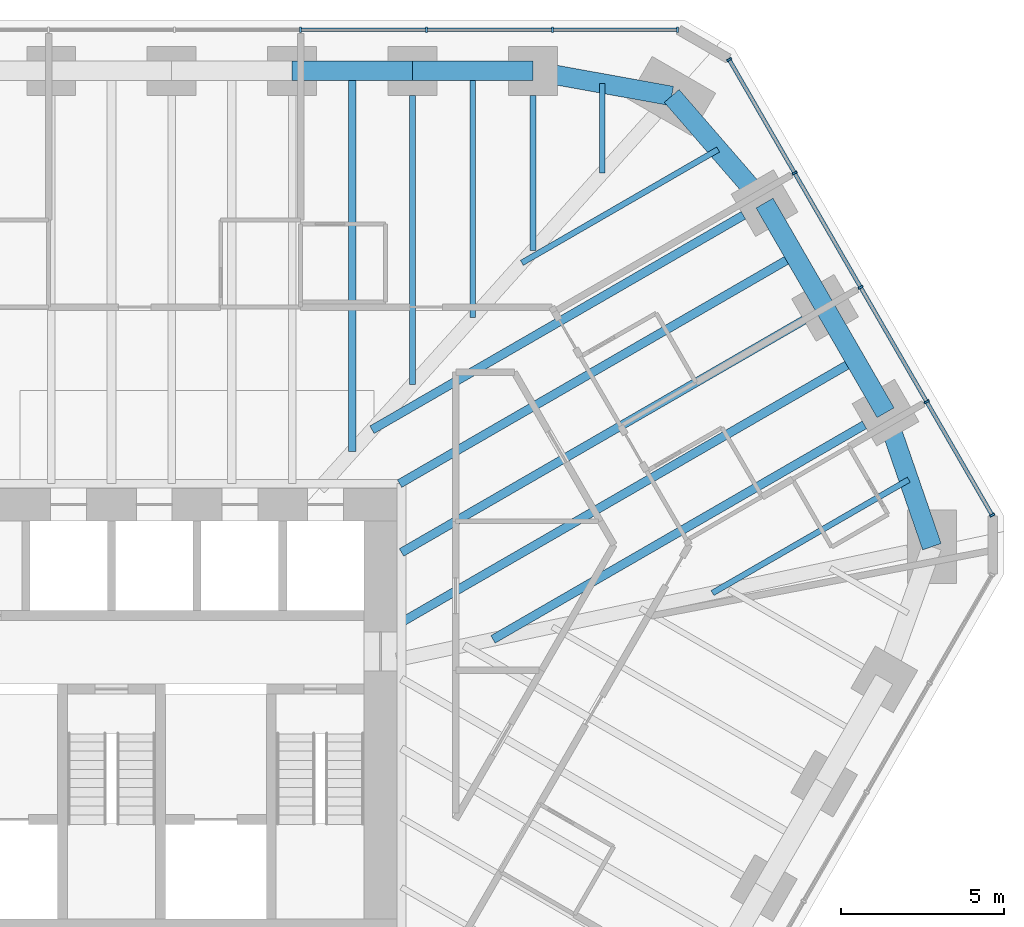
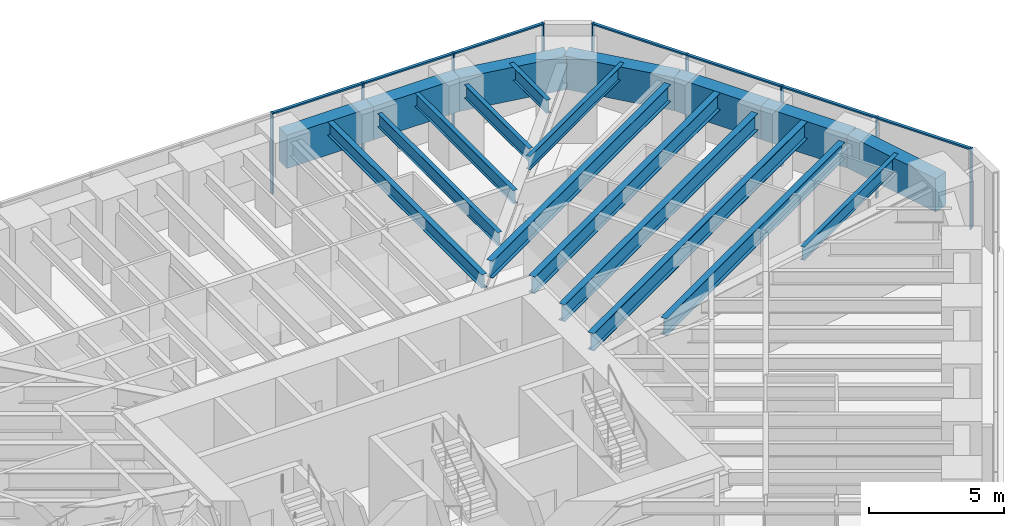
# One storey, part 9 of 17: 19 beams, 16 members, 2 elements without a shape of their own.
"""IFC4 building model written with IfcOpenShell, lengths in metres."""

from ifc_helpers import new_model, si_unit, direction, frame, origin, origin_2d, place, context, subcontext, project, spatial, rectangle, i_section, extrude, material, material_profile, profile_set, type_object, element, aggregate, save


model = new_model("IFC4")

# Units and contexts
model_context = context("Model", 3, precision=1e-05, world=origin(), true_north=direction((0.0, 1.0)))
body_context = subcontext(model_context, "Body", "Model", "MODEL_VIEW")
ifc_project = project(units=[si_unit("LENGTHUNIT", "METRE"), si_unit("AREAUNIT", "SQUARE_METRE"), si_unit("VOLUMEUNIT", "CUBIC_METRE"), si_unit("PLANEANGLEUNIT", "RADIAN"), si_unit("MASSUNIT", "GRAM", prefix="KILO")], contexts=[model_context])

# Site, building, storey
site_placement = place(None, origin())
site = spatial("IfcSite", under=ifc_project, at=site_placement, CompositionType="ELEMENT")
building_placement = place(site_placement, origin())
building = spatial("IfcBuilding", under=site, at=building_placement, Name="Sandreach Pilgrim Tower", CompositionType="ELEMENT")
storey_placement = place(building_placement, frame((0.0, 0.0, 194.60009765625)))
storey = spatial("IfcBuildingStorey", under=building, at=storey_placement, Name="L48", CompositionType="ELEMENT", Elevation=194.60009765625)

# Curtain wall, members
ifc_material_1 = material(Name="Aluminium framed curtain wall", Category="aluminium")
curtain_wall_type = type_object("IfcCurtainWallType", Name="Upper hotel tower curtain wall", PredefinedType="NOTDEFINED", material=ifc_material_1)
curtain_wall_1_placement = place(storey_placement, origin())
curtain_wall_1 = element("IfcCurtainWall", 1, at=curtain_wall_1_placement, inside=storey, type_object=curtain_wall_type, Name="CW-3 L48 N", PredefinedType="NOTDEFINED")
ifc_material_2 = material(Name="Aluminium extrusion", Category="aluminium")
ifc_material_profile_1 = material_profile(ifc_material_2, rectangle(XDim=0.06494140625, YDim=0.159912109375, at=origin_2d()), Name="CW-3M 65X160")
ifc_profile_set_1 = profile_set([ifc_material_profile_1], Name="Aluminium extrusion")
member_type_1 = type_object("IfcMemberType", Name="CW-3 mullion", PredefinedType="MULLION", material=ifc_profile_set_1)
member_1_placement = place(storey_placement, frame((5.796630859375, 21.16015625, 0.0), z_axis=(0.0, 0.0, 1.0), x_axis=(1.0, 0.0, 0.0)))
member_1 = element("IfcMember", 2, at=member_1_placement, type_object=member_type_1, Name="CW-3 mullion 7", PredefinedType="MULLION", context=body_context, shape_type="SweptSolid", body=[
    extrude(rectangle(XDim=0.06494140625, YDim=0.159912109375, at=origin_2d()), origin(), (0.0, 0.0, 1.0), 3.639892578125),
])
member_2_placement = place(storey_placement, frame((9.6611328125, 21.16015625, 0.0), z_axis=(0.0, 0.0, 1.0), x_axis=(1.0, 0.0, 0.0)))
member_2 = element("IfcMember", 3, at=member_2_placement, type_object=member_type_1, Name="CW-3 mullion 8", PredefinedType="MULLION", context=body_context, shape_type="SweptSolid", body=[
    extrude(rectangle(XDim=0.06494140625, YDim=0.159912109375, at=origin_2d()), origin(), (0.0, 0.0, 1.0), 3.639892578125),
])
member_3_placement = place(storey_placement, frame((13.525390625, 21.16015625, 0.0), z_axis=(0.0, 0.0, 1.0), x_axis=(1.0, 0.0, 0.0)))
member_3 = element("IfcMember", 4, at=member_3_placement, type_object=member_type_1, Name="CW-3 mullion 9", PredefinedType="MULLION", context=body_context, shape_type="SweptSolid", body=[
    extrude(rectangle(XDim=0.06494140625, YDim=0.159912109375, at=origin_2d()), origin(), (0.0, 0.0, 1.0), 3.639892578125),
])
member_4_placement = place(storey_placement, frame((17.357421875, 21.16015625, 0.0), z_axis=(0.0, 0.0, 1.0), x_axis=(1.0, 0.0, 0.0)))
member_4 = element("IfcMember", 5, at=member_4_placement, type_object=member_type_1, Name="CW-3 mullion 10", PredefinedType="MULLION", context=body_context, shape_type="SweptSolid", body=[
    extrude(rectangle(XDim=0.06494140625, YDim=0.159912109375, at=origin_2d()), origin(), (0.0, 0.0, 1.0), 3.639892578125),
])

curtain_wall_2_placement = place(storey_placement, origin())
curtain_wall_2 = element("IfcCurtainWall", 6, at=curtain_wall_2_placement, inside=storey, type_object=curtain_wall_type, Name="CW-3 L48 NE", PredefinedType="NOTDEFINED")
member_5_placement = place(storey_placement, frame((18.93896484375, 20.2470703125, 0.0), z_axis=(0.0, 0.0, 1.0), x_axis=(0.5, -0.866025403784, 0.0)))
member_5 = element("IfcMember", 7, at=member_5_placement, type_object=member_type_1, Name="CW-3 mullion 1", PredefinedType="MULLION", context=body_context, shape_type="SweptSolid", body=[
    extrude(rectangle(XDim=0.06494140625, YDim=0.159912109375, at=origin_2d()), origin(), (0.0, 0.0, 1.0), 3.639892578125),
])
member_6_placement = place(storey_placement, frame((20.947021484375, 16.768798828125, 0.0), z_axis=(0.0, 0.0, 1.0), x_axis=(0.5, -0.866025403784, 0.0)))
member_6 = element("IfcMember", 8, at=member_6_placement, type_object=member_type_1, Name="CW-3 mullion 2", PredefinedType="MULLION", context=body_context, shape_type="SweptSolid", body=[
    extrude(rectangle(XDim=0.06494140625, YDim=0.159912109375, at=origin_2d()), origin(), (0.0, 0.0, 1.0), 3.639892578125),
])
member_7_placement = place(storey_placement, frame((22.971435546875, 13.262451171875, 0.0), z_axis=(0.0, 0.0, 1.0), x_axis=(0.5, -0.866025403784, 0.0)))
member_7 = element("IfcMember", 9, at=member_7_placement, type_object=member_type_1, Name="CW-3 mullion 3", PredefinedType="MULLION", context=body_context, shape_type="SweptSolid", body=[
    extrude(rectangle(XDim=0.06494140625, YDim=0.159912109375, at=origin_2d()), origin(), (0.0, 0.0, 1.0), 3.639892578125),
])
member_8_placement = place(storey_placement, frame((24.995849609375, 9.75634765625, 0.0), z_axis=(0.0, 0.0, 1.0), x_axis=(0.5, -0.866025403784, 0.0)))
member_8 = element("IfcMember", 10, at=member_8_placement, type_object=member_type_1, Name="CW-3 mullion 4", PredefinedType="MULLION", context=body_context, shape_type="SweptSolid", body=[
    extrude(rectangle(XDim=0.06494140625, YDim=0.159912109375, at=origin_2d()), origin(), (0.0, 0.0, 1.0), 3.639892578125),
])
member_9_placement = place(storey_placement, frame((27.00390625, 6.278076171875, 0.0), z_axis=(0.0, 0.0, 1.0), x_axis=(0.5, -0.866025403784, 0.0)))
member_9 = element("IfcMember", 11, at=member_9_placement, type_object=member_type_1, Name="CW-3 mullion 5", PredefinedType="MULLION", context=body_context, shape_type="SweptSolid", body=[
    extrude(rectangle(XDim=0.06494140625, YDim=0.159912109375, at=origin_2d()), origin(), (0.0, 0.0, 1.0), 3.639892578125),
])

# Member
ifc_material_3 = material(Name="Aluminium extrusion", Category="aluminium")
ifc_material_profile_2 = material_profile(ifc_material_3, rectangle(XDim=0.1201171875, YDim=0.070068359375, at=origin_2d()), Name="CW-3T 120X70")
ifc_profile_set_2 = profile_set([ifc_material_profile_2], Name="Aluminium extrusion")
member_type_2 = type_object("IfcMemberType", Name="CW-3 transom", PredefinedType="USERDEFINED", material=ifc_profile_set_2)
member_10_placement = place(storey_placement, frame((5.8291015625, 21.16015625, 3.60498046875), z_axis=(1.0, 0.0, 0.0), x_axis=(0.0, 1.0, 0.0)))
member_10 = element("IfcMember", 12, at=member_10_placement, type_object=member_type_2, Name="CW-3 head transom 7", ObjectType="TRANSOM", PredefinedType="USERDEFINED", context=body_context, shape_type="SweptSolid", body=[
    extrude(rectangle(XDim=0.1201171875, YDim=0.070068359375, at=origin_2d()), origin(), (0.0, 0.0, 1.0), 3.799560546875),
])

member_11_placement = place(storey_placement, frame((9.693603515625, 21.16015625, 3.60498046875), z_axis=(1.0, 0.0, 0.0), x_axis=(0.0, 1.0, 0.0)))
member_11 = element("IfcMember", 13, at=member_11_placement, type_object=member_type_2, Name="CW-3 head transom 8", ObjectType="TRANSOM", PredefinedType="USERDEFINED", context=body_context, shape_type="SweptSolid", body=[
    extrude(rectangle(XDim=0.1201171875, YDim=0.070068359375, at=origin_2d()), origin(), (0.0, 0.0, 1.0), 3.79931640625),
])

member_12_placement = place(storey_placement, frame((13.557861328125, 21.16015625, 3.60498046875), z_axis=(1.0, 0.0, 0.0), x_axis=(0.0, 1.0, 0.0)))
member_12 = element("IfcMember", 14, at=member_12_placement, type_object=member_type_2, Name="CW-3 head transom 9", ObjectType="TRANSOM", PredefinedType="USERDEFINED", context=body_context, shape_type="SweptSolid", body=[
    extrude(rectangle(XDim=0.1201171875, YDim=0.070068359375, at=origin_2d()), origin(), (0.0, 0.0, 1.0), 3.76708984375),
])

aggregate(curtain_wall_1, [member_1, member_2, member_3, member_4, member_10, member_11, member_12])

member_13_placement = place(storey_placement, frame((18.955322265625, 20.21875, 3.60498046875), z_axis=(0.499993448556, -0.866029186229, 0.0), x_axis=(0.866029186229, 0.499993448556, 0.0)))
member_13 = element("IfcMember", 15, at=member_13_placement, type_object=member_type_2, Name="CW-3 head transom 1", ObjectType="TRANSOM", PredefinedType="USERDEFINED", context=body_context, shape_type="SweptSolid", body=[
    extrude(rectangle(XDim=0.1201171875, YDim=0.070068359375, at=origin_2d()), origin(), (0.0, 0.0, 1.0), 3.951171875),
])

member_14_placement = place(storey_placement, frame((20.96337890625, 16.74072265625, 3.60498046875), z_axis=(0.499975332564, -0.866039645067, 0.0), x_axis=(0.866039645067, 0.499975332564, 0.0)))
member_14 = element("IfcMember", 16, at=member_14_placement, type_object=member_type_2, Name="CW-3 head transom 2", ObjectType="TRANSOM", PredefinedType="USERDEFINED", context=body_context, shape_type="SweptSolid", body=[
    extrude(rectangle(XDim=0.1201171875, YDim=0.070068359375, at=origin_2d()), origin(), (0.0, 0.0, 1.0), 3.983642578125),
])

member_15_placement = place(storey_placement, frame((22.98779296875, 13.234375, 3.60498046875), z_axis=(0.499975332564, -0.866039645067, 0.0), x_axis=(0.866039645067, 0.499975332564, 0.0)))
member_15 = element("IfcMember", 17, at=member_15_placement, type_object=member_type_2, Name="CW-3 head transom 3", ObjectType="TRANSOM", PredefinedType="USERDEFINED", context=body_context, shape_type="SweptSolid", body=[
    extrude(rectangle(XDim=0.1201171875, YDim=0.070068359375, at=origin_2d()), origin(), (0.0, 0.0, 1.0), 3.983642578125),
])

member_16_placement = place(storey_placement, frame((25.011962890625, 9.728271484375, 3.60498046875), z_axis=(0.499993448556, -0.866029186229, 0.0), x_axis=(0.866029186229, 0.499993448556, 0.0)))
member_16 = element("IfcMember", 18, at=member_16_placement, type_object=member_type_2, Name="CW-3 head transom 4", ObjectType="TRANSOM", PredefinedType="USERDEFINED", context=body_context, shape_type="SweptSolid", body=[
    extrude(rectangle(XDim=0.1201171875, YDim=0.070068359375, at=origin_2d()), origin(), (0.0, 0.0, 1.0), 3.951171875),
])

aggregate(curtain_wall_2, [member_5, member_6, member_7, member_8, member_9, member_13, member_14, member_15, member_16])

# Beams
ifc_material_4 = material(Name="Steel ASTM A992 Grade 50", Category="steel")
ifc_material_profile_3 = material_profile(ifc_material_4, i_section(OverallWidth=0.1787109375, OverallDepth=0.60205078125, WebThickness=0.010986328125, FlangeThickness=0.014892578125, at=origin_2d()), Name="W24X62")
ifc_profile_set_3 = profile_set([ifc_material_profile_3], Name="Steel ASTM A992 Grade 50")
beam_type_1 = type_object("IfcBeamType", Name="Floor beam W24X62", PredefinedType="BEAM", material=ifc_profile_set_3)
beam_1_placement = place(storey_placement, frame((9.231201171875, 19.150146484375, 3.3388671875), z_axis=(0.0, -1.0, 0.0), x_axis=(1.0, 0.0, 0.0)))
element("IfcBeam", 19, at=beam_1_placement, inside=storey, type_object=beam_type_1, Name="BM L48 F07", PredefinedType="BEAM", context=body_context, shape_type="SweptSolid", body=[
    extrude(i_section(OverallWidth=0.1787109375, OverallDepth=0.60205078125, WebThickness=0.010986328125, FlangeThickness=0.014892578125, at=origin_2d()), origin(), (0.0, 0.0, 1.0), 8.86962890625),
])
beam_2_placement = place(storey_placement, frame((12.923828125, 19.150146484375, 3.3388671875), z_axis=(0.0, -1.0, 0.0), x_axis=(1.0, 0.0, 0.0)))
element("IfcBeam", 20, at=beam_2_placement, inside=storey, type_object=beam_type_1, Name="BM L48 F08", PredefinedType="BEAM", context=body_context, shape_type="SweptSolid", body=[
    extrude(i_section(OverallWidth=0.1787109375, OverallDepth=0.60205078125, WebThickness=0.010986328125, FlangeThickness=0.014892578125, at=origin_2d()), origin(), (0.0, 0.0, 1.0), 4.757568359375),
])
beam_3_placement = place(storey_placement, frame((11.077392578125, 19.900146484375, 3.3388671875), z_axis=(0.0, -1.0, 0.0), x_axis=(1.0, 0.0, 0.0)))
element("IfcBeam", 21, at=beam_3_placement, inside=storey, type_object=beam_type_1, Name="BM L48 FM07", PredefinedType="BEAM", context=body_context, shape_type="SweptSolid", body=[
    extrude(i_section(OverallWidth=0.1787109375, OverallDepth=0.60205078125, WebThickness=0.010986328125, FlangeThickness=0.014892578125, at=origin_2d()), origin(), (0.0, 0.0, 1.0), 7.563720703125),
])
beam_4_placement = place(storey_placement, frame((15.05078125, 19.515380859375, 3.3388671875), z_axis=(0.0, -1.0, 0.0), x_axis=(1.0, 0.0, 0.0)))
element("IfcBeam", 22, at=beam_4_placement, inside=storey, type_object=beam_type_1, Name="BM L48 FM08", PredefinedType="BEAM", context=body_context, shape_type="SweptSolid", body=[
    extrude(i_section(OverallWidth=0.1787109375, OverallDepth=0.60205078125, WebThickness=0.010986328125, FlangeThickness=0.014892578125, at=origin_2d()), origin(), (0.0, 0.0, 1.0), 2.75390625),
])
for number, where, z_axis, x_axis, name in (
    (23, (18.6015625, 17.48828125, 3.3388671875), (-0.866029381593, -0.499993110171, 0.0), (0.499993110171, -0.866029381593, 0.0), "BM L48 FM09"),
    (24, (24.446044921875, 7.365234375, 3.3388671875), (-0.866029381593, -0.499993110171, 0.0), (0.499993110171, -0.866029381593, 0.0), "BM L48 FM12"),
):
    element("IfcBeam", number, at=place(storey_placement, frame(where, z_axis=z_axis, x_axis=x_axis)), inside=storey, type_object=beam_type_1, Name=name, PredefinedType="BEAM", context=body_context, shape_type="SweptSolid", body=[
        extrude(i_section(OverallWidth=0.1787109375, OverallDepth=0.60205078125, WebThickness=0.010986328125, FlangeThickness=0.014892578125, at=origin_2d()), origin(), (0.0, 0.0, 1.0), 6.94921875),
    ])
ifc_material_5 = material(Name="Steel ASTM A992 Grade 50", Category="steel")
ifc_material_profile_4 = material_profile(ifc_material_5, i_section(OverallWidth=0.23046875, OverallDepth=0.6171875, WebThickness=0.01318359375, FlangeThickness=0.022216796875, at=origin_2d()), Name="W24X94")
ifc_profile_set_4 = profile_set([ifc_material_profile_4], Name="Steel ASTM A992 Grade 50")
beam_type_2 = type_object("IfcBeamType", Name="Floor beam W24X94", PredefinedType="BEAM", material=ifc_profile_set_4)
beam_5_placement = place(storey_placement, frame((7.385009765625, 19.900146484375, 3.331298828125), z_axis=(0.0, -1.0, 0.0), x_axis=(1.0, 0.0, 0.0)))
element("IfcBeam", 25, at=beam_5_placement, inside=storey, type_object=beam_type_2, Name="BM L48 FM06", PredefinedType="BEAM", context=body_context, shape_type="SweptSolid", body=[
    extrude(i_section(OverallWidth=0.23046875, OverallDepth=0.6171875, WebThickness=0.01318359375, FlangeThickness=0.022216796875, at=origin_2d()), origin(), (0.0, 0.0, 1.0), 11.67578125),
])
ifc_material_6 = material(Name="Steel ASTM A992 Grade 50", Category="steel")
ifc_material_profile_5 = material_profile(ifc_material_6, i_section(OverallWidth=0.2666015625, OverallDepth=0.761962890625, WebThickness=0.014404296875, FlangeThickness=0.021484375, at=origin_2d()), Name="W30X116")
ifc_profile_set_5 = profile_set([ifc_material_profile_5], Name="Steel ASTM A992 Grade 50")
beam_type_3 = type_object("IfcBeamType", Name="Floor beam W30X116", PredefinedType="BEAM", material=ifc_profile_set_5)
beam_6_placement = place(storey_placement, frame((19.37548828125, 15.470947265625, 3.2587890625), z_axis=(-0.866022320763, -0.500005339912, 0.0), x_axis=(0.500005339912, -0.866022320763, 0.0)))
element("IfcBeam", 26, at=beam_6_placement, inside=storey, type_object=beam_type_3, Name="BM L48 F10", PredefinedType="BEAM", context=body_context, shape_type="SweptSolid", body=[
    extrude(i_section(OverallWidth=0.2666015625, OverallDepth=0.761962890625, WebThickness=0.014404296875, FlangeThickness=0.021484375, at=origin_2d()), origin(), (0.0, 0.0, 1.0), 13.148193359375),
])
beam_7_placement = place(storey_placement, frame((21.230712890625, 12.257568359375, 3.2587890625), z_axis=(-0.866024056942, -0.500002332792, 0.0), x_axis=(0.500002332792, -0.866024056942, 0.0)))
element("IfcBeam", 27, at=beam_7_placement, inside=storey, type_object=beam_type_3, Name="BM L48 F11", PredefinedType="BEAM", context=body_context, shape_type="SweptSolid", body=[
    extrude(i_section(OverallWidth=0.2666015625, OverallDepth=0.761962890625, WebThickness=0.014404296875, FlangeThickness=0.021484375, at=origin_2d()), origin(), (0.0, 0.0, 1.0), 14.24609375),
])
beam_8_placement = place(storey_placement, frame((23.0859375, 9.044189453125, 3.2587890625), z_axis=(-0.866026962808, -0.499997299682, 0.0), x_axis=(0.499997299682, -0.866026962808, 0.0)))
element("IfcBeam", 28, at=beam_8_placement, inside=storey, type_object=beam_type_3, Name="BM L48 F12", PredefinedType="BEAM", context=body_context, shape_type="SweptSolid", body=[
    extrude(i_section(OverallWidth=0.2666015625, OverallDepth=0.761962890625, WebThickness=0.014404296875, FlangeThickness=0.021484375, at=origin_2d()), origin(), (0.0, 0.0, 1.0), 13.1484375),
])
beam_9_placement = place(storey_placement, frame((20.95263671875, 14.2392578125, 3.2587890625), z_axis=(-0.866025770688, -0.499999364504, 0.0), x_axis=(0.499999364504, -0.866025770688, 0.0)))
element("IfcBeam", 29, at=beam_9_placement, inside=storey, type_object=beam_type_3, Name="BM L48 FM10", PredefinedType="BEAM", context=body_context, shape_type="SweptSolid", body=[
    extrude(i_section(OverallWidth=0.2666015625, OverallDepth=0.761962890625, WebThickness=0.014404296875, FlangeThickness=0.021484375, at=origin_2d()), origin(), (0.0, 0.0, 1.0), 13.99169921875),
])
ifc_material_7 = material(Name="Steel ASTM A992 Grade 50", Category="steel")
ifc_material_profile_6 = material_profile(ifc_material_7, i_section(OverallWidth=0.2666015625, OverallDepth=0.77978515625, WebThickness=0.0166015625, FlangeThickness=0.030029296875, at=origin_2d()), Name="W30X148")
ifc_profile_set_6 = profile_set([ifc_material_profile_6], Name="Steel ASTM A992 Grade 50")
beam_type_4 = type_object("IfcBeamType", Name="Floor beam W30X148", PredefinedType="BEAM", material=ifc_profile_set_6)
beam_10_placement = place(storey_placement, frame((22.807861328125, 11.02587890625, 3.25), z_axis=(-0.866028701771, -0.499994287676, 0.0), x_axis=(0.499994287676, -0.866028701771, 0.0)))
element("IfcBeam", 30, at=beam_10_placement, inside=storey, type_object=beam_type_4, Name="BM L48 FM11", PredefinedType="BEAM", context=body_context, shape_type="SweptSolid", body=[
    extrude(i_section(OverallWidth=0.2666015625, OverallDepth=0.77978515625, WebThickness=0.0166015625, FlangeThickness=0.030029296875, at=origin_2d()), origin(), (0.0, 0.0, 1.0), 16.067138671875),
])
ifc_material_8 = material(Name="Concrete 10000 psi", Category="concrete")
ifc_material_profile_7 = material_profile(ifc_material_8, rectangle(XDim=0.60009765625, YDim=1.5, at=origin_2d()), Name="RC600X1500")
ifc_profile_set_7 = profile_set([ifc_material_profile_7], Name="Concrete 10000 psi")
beam_type_5 = type_object("IfcBeamType", Name="Spandrel beam RC600X1500", PredefinedType="SPANDREL", material=ifc_profile_set_7)
beam_11_placement = place(storey_placement, frame((5.538818359375, 19.900146484375, 2.889892578125), z_axis=(1.0, 0.0, 0.0), x_axis=(0.0, 1.0, 0.0)))
element("IfcBeam", 31, at=beam_11_placement, inside=storey, type_object=beam_type_5, Name="BM L48 SP06", PredefinedType="SPANDREL", context=body_context, shape_type="SweptSolid", body=[
    extrude(rectangle(XDim=0.60009765625, YDim=1.5, at=origin_2d()), origin(), (0.0, 0.0, 1.0), 3.6923828125),
])
beam_12_placement = place(storey_placement, frame((9.231201171875, 19.900146484375, 2.889892578125), z_axis=(1.0, 0.0, 0.0), x_axis=(0.0, 1.0, 0.0)))
element("IfcBeam", 32, at=beam_12_placement, inside=storey, type_object=beam_type_5, Name="BM L48 SP07", PredefinedType="SPANDREL", context=body_context, shape_type="SweptSolid", body=[
    extrude(rectangle(XDim=0.60009765625, YDim=1.5, at=origin_2d()), origin(), (0.0, 0.0, 1.0), 3.692626953125),
])
beam_13_placement = place(storey_placement, frame((12.923828125, 19.900146484375, 2.889892578125), z_axis=(0.984030345637, -0.178000783326, 0.0), x_axis=(0.178000783326, 0.984030345637, 0.0)))
element("IfcBeam", 33, at=beam_13_placement, inside=storey, type_object=beam_type_5, Name="BM L48 SP08", PredefinedType="SPANDREL", context=body_context, shape_type="SweptSolid", body=[
    extrude(rectangle(XDim=0.60009765625, YDim=1.5, at=origin_2d()), origin(), (0.0, 0.0, 1.0), 4.3232421875),
])
beam_14_placement = place(storey_placement, frame((17.177978515625, 19.130615234375, 2.889892578125), z_axis=(0.65499040715, -0.755637192402, 0.0), x_axis=(0.755637192402, 0.65499040715, 0.0)))
element("IfcBeam", 34, at=beam_14_placement, inside=storey, type_object=beam_type_5, Name="BM L48 SP09", PredefinedType="SPANDREL", context=body_context, shape_type="SweptSolid", body=[
    extrude(rectangle(XDim=0.60009765625, YDim=1.5, at=origin_2d()), origin(), (0.0, 0.0, 1.0), 4.346923828125),
])
for number, where, z_axis, x_axis, name in (
    (35, (20.025146484375, 15.845947265625, 2.889892578125), (0.499995842751, -0.86602780396, 0.0), (0.86602780396, 0.499995842751, 0.0), "BM L48 SP10"),
    (36, (21.88037109375, 12.632568359375, 2.889892578125), (0.499946491854, -0.866056294523, 0.0), (0.866056294523, 0.499946491854, 0.0), "BM L48 SP11"),
):
    element("IfcBeam", number, at=place(storey_placement, frame(where, z_axis=z_axis, x_axis=x_axis)), inside=storey, type_object=beam_type_5, Name=name, PredefinedType="SPANDREL", context=body_context, shape_type="SweptSolid", body=[
        extrude(rectangle(XDim=0.60009765625, YDim=1.5, at=origin_2d()), origin(), (0.0, 0.0, 1.0), 3.71044921875),
    ])
beam_15_placement = place(storey_placement, frame((23.7353515625, 9.419189453125, 2.889892578125), z_axis=(0.326940800053, -0.945044820768, 0.0), x_axis=(0.945044820768, 0.326940800053, 0.0)))
element("IfcBeam", 37, at=beam_15_placement, inside=storey, type_object=beam_type_5, Name="BM L48 SP12", PredefinedType="SPANDREL", context=body_context, shape_type="SweptSolid", body=[
    extrude(rectangle(XDim=0.60009765625, YDim=1.5, at=origin_2d()), origin(), (0.0, 0.0, 1.0), 4.3466796875),
])

save(model, "model.ifc")
